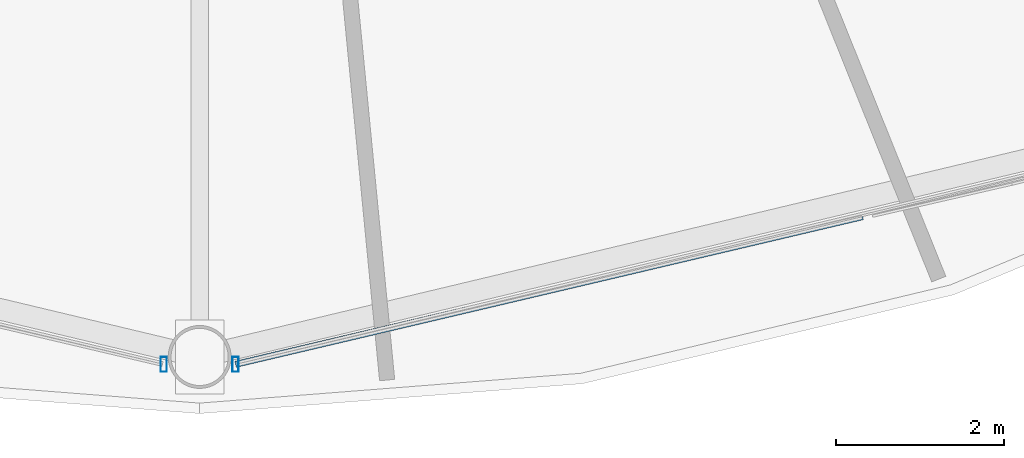
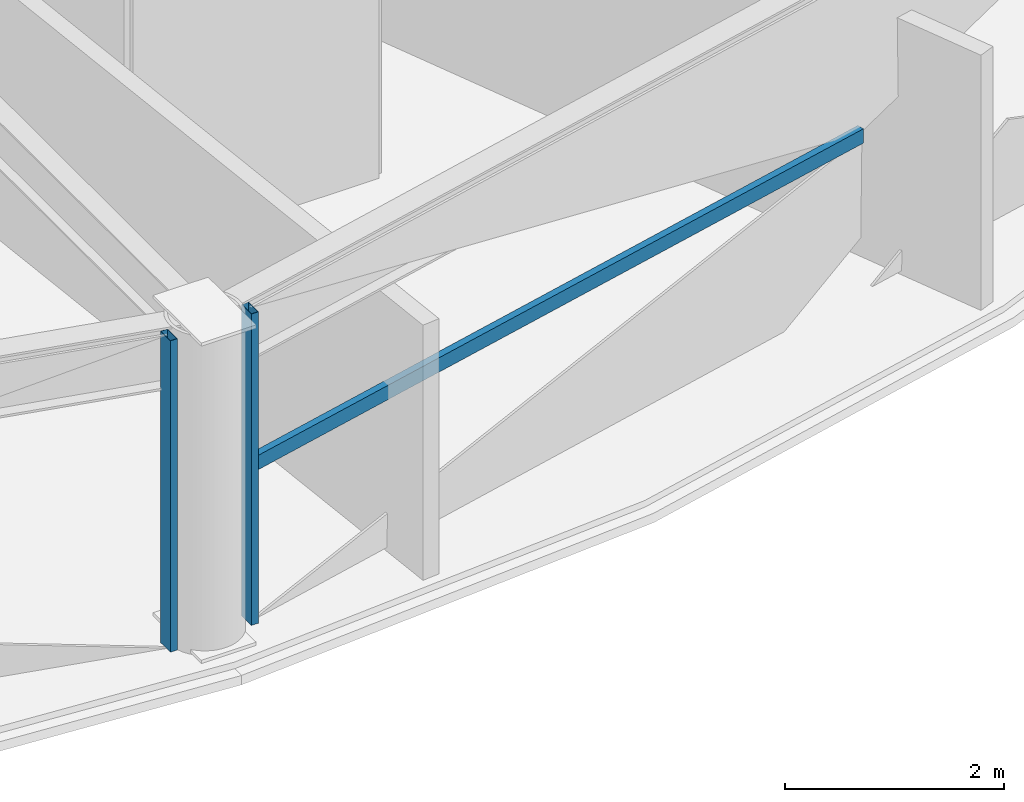
# One storey, part 5 of 32: 3 members, 2 elements without a shape of their own.
"""IFC4 building model written with IfcOpenShell, lengths in metres."""

from ifc_helpers import new_model, si_unit, direction, frame, origin, origin_2d, place, context, subcontext, project, spatial, hollow_rectangle, extrude, material, layer, layer_set, material_profile, profile_set, type_object, element, aggregate, save


model = new_model("IFC4")

# Units and contexts
model_context = context("Model", 3, precision=1e-05, world=origin(), true_north=direction((0.0, 1.0)))
body_context = subcontext(model_context, "Body", "Model", "MODEL_VIEW")
ifc_project = project(units=[si_unit("LENGTHUNIT", "METRE"), si_unit("AREAUNIT", "SQUARE_METRE"), si_unit("VOLUMEUNIT", "CUBIC_METRE"), si_unit("PLANEANGLEUNIT", "RADIAN"), si_unit("MASSUNIT", "GRAM", prefix="KILO")], contexts=[model_context])

# Site, building, storey
site_placement = place(None, origin())
site = spatial("IfcSite", under=ifc_project, at=site_placement, CompositionType="ELEMENT")
building_placement = place(site_placement, origin())
building = spatial("IfcBuilding", under=site, at=building_placement, Name="Vantalir Tower", CompositionType="ELEMENT")
storey_placement = place(building_placement, frame((0.0, 0.0, 100.949951171875)))
storey = spatial("IfcBuildingStorey", under=building, at=storey_placement, Name="L24", CompositionType="ELEMENT", Elevation=100.949951171875)

# Curtain wall, member
ifc_material_1 = material(Name="Champagne-silver PVDF aluminium and double-silver Low-E glass", Category="aluminium")
ifc_layer = layer(ifc_material_1, 0.199951171875)
ifc_layer_set = layer_set([ifc_layer], Name="Champagne-silver PVDF aluminium and double-silver Low-E glass")
curtain_wall_type = type_object("IfcCurtainWallType", Name="CW-DIAMOND-Z2", PredefinedType="USERDEFINED", material=ifc_layer_set)
curtain_wall_1_placement = place(storey_placement, origin())
curtain_wall_1 = element("IfcCurtainWall", 1, at=curtain_wall_1_placement, inside=storey, type_object=curtain_wall_type, Name="L24 Quilted Pyramid-Diamond Curtain Wall S09", ObjectType="UNITISED CURTAIN WALL", PredefinedType="USERDEFINED")
ifc_material_2 = material(Name="Champagne-silver PVDF aluminium 6063-T6", Category="aluminium")
ifc_material_profile_1 = material_profile(ifc_material_2, hollow_rectangle(XDim=0.074951171875, YDim=0.179931640625, WallThickness=0.00390625, at=origin_2d()), Name="Champagne-silver PVDF aluminium 6063-T6")
ifc_profile_set_1 = profile_set([ifc_material_profile_1], Name="Champagne-silver PVDF aluminium 6063-T6")
member_type_1 = type_object("IfcMemberType", Name="CWM-180x75", PredefinedType="MULLION", material=ifc_profile_set_1)
member_1_placement = place(storey_placement, frame((31.072021484375, 2.1240234375, 0.045166015625), z_axis=(0.0, 0.0, 1.0), x_axis=(1.0, 0.0, 0.0)))
member_1 = element("IfcMember", 2, at=member_1_placement, type_object=member_type_1, Name="CW-L24-S09 Mullion 2", PredefinedType="MULLION", context=body_context, shape_type="SweptSolid", body=[
    extrude(hollow_rectangle(XDim=0.074951171875, YDim=0.179931640625, WallThickness=0.00390625, at=origin_2d()), origin(), (0.0, 0.0, 1.0), 3.47998046875),
])
aggregate(curtain_wall_1, [member_1])

# Curtain wall, members
curtain_wall_2_placement = place(storey_placement, origin())
curtain_wall_2 = element("IfcCurtainWall", 3, at=curtain_wall_2_placement, inside=storey, type_object=curtain_wall_type, Name="L24 Quilted Pyramid-Diamond Curtain Wall S10", ObjectType="UNITISED CURTAIN WALL", PredefinedType="USERDEFINED")
member_2_placement = place(storey_placement, frame((31.927978515625, 2.1240234375, 0.045166015625), z_axis=(0.0, 0.0, 1.0), x_axis=(1.0, 0.0, 0.0)))
member_2 = element("IfcMember", 4, at=member_2_placement, type_object=member_type_1, Name="CW-L24-S10 Mullion 1", PredefinedType="MULLION", context=body_context, shape_type="SweptSolid", body=[
    extrude(hollow_rectangle(XDim=0.074951171875, YDim=0.179931640625, WallThickness=0.00390625, at=origin_2d()), origin(), (0.0, 0.0, 1.0), 3.47998046875),
])
ifc_material_profile_2 = material_profile(ifc_material_2, hollow_rectangle(XDim=0.074951171875, YDim=0.159912109375, WallThickness=0.00390625, at=origin_2d()), Name="Champagne-silver PVDF aluminium 6063-T6")
ifc_profile_set_2 = profile_set([ifc_material_profile_2], Name="Champagne-silver PVDF aluminium 6063-T6")
member_type_2 = type_object("IfcMemberType", Name="CWT-160x75", PredefinedType="USERDEFINED", material=ifc_profile_set_2)
member_3_placement = place(storey_placement, frame((31.927978515625, 2.1240234375, 1.78515625), z_axis=(0.973369996318, 0.229239722272, 0.0), x_axis=(-0.229239722272, 0.973369996318, 0.0)))
member_3 = element("IfcMember", 5, at=member_3_placement, type_object=member_type_2, Name="CW-L24-S10 Pyramid Fold Ridge Transom", ObjectType="TRANSOM", PredefinedType="USERDEFINED", context=body_context, shape_type="SweptSolid", body=[
    extrude(hollow_rectangle(XDim=0.074951171875, YDim=0.159912109375, WallThickness=0.00390625, at=origin_2d()), origin(), (0.0, 0.0, 1.0), 7.67333984375),
])
aggregate(curtain_wall_2, [member_2, member_3])

save(model, "model.ifc")
